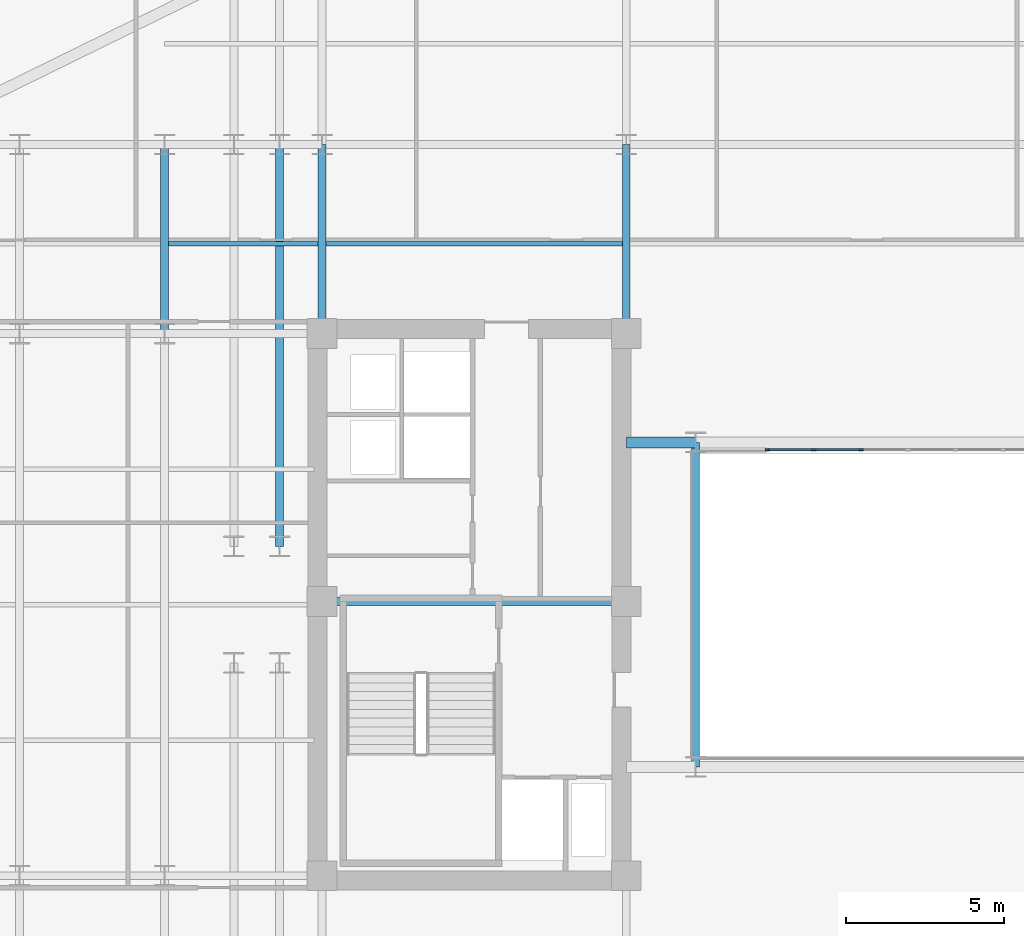
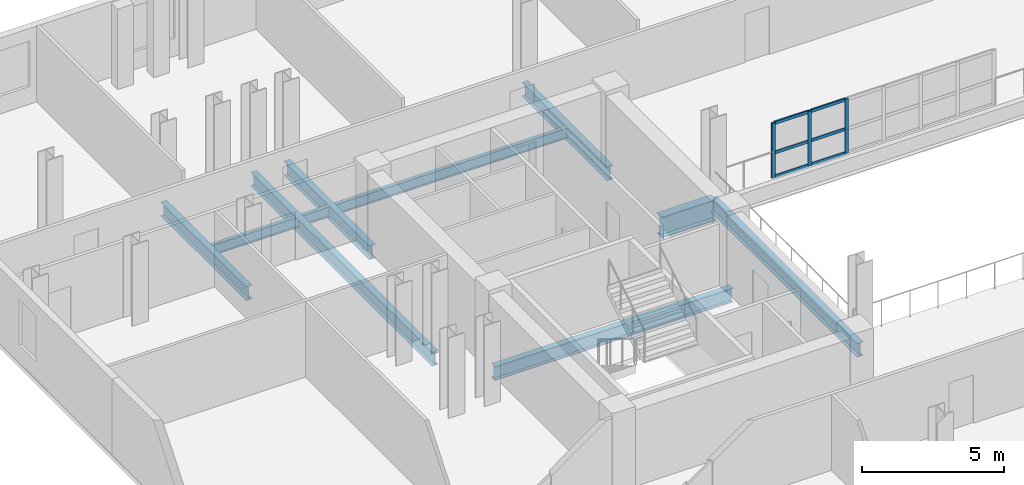
# One storey, part 2 of 12: 9 beams, 9 members, 1 element without a shape of its own.
"""IFC4 building model written with IfcOpenShell, lengths in metres."""

from ifc_helpers import new_model, si_unit, direction, frame, origin, origin_2d, place, context, subcontext, project, spatial, rectangle, i_section, extrude, material, layer, layer_set, material_profile, profile_set, type_object, element, aggregate, save


model = new_model("IFC4")

# Units and contexts
model_context = context("Model", 3, precision=1e-05, world=origin(), true_north=direction((0.0, 1.0)))
body_context = subcontext(model_context, "Body", "Model", "MODEL_VIEW")
ifc_project = project(units=[si_unit("LENGTHUNIT", "METRE"), si_unit("AREAUNIT", "SQUARE_METRE"), si_unit("VOLUMEUNIT", "CUBIC_METRE"), si_unit("PLANEANGLEUNIT", "RADIAN"), si_unit("MASSUNIT", "GRAM", prefix="KILO")], contexts=[model_context])

# Site, building, storey
site_placement = place(None, origin())
site = spatial("IfcSite", under=ifc_project, at=site_placement, CompositionType="ELEMENT")
building_placement = place(site_placement, origin())
building = spatial("IfcBuilding", under=site, at=building_placement, Name="Velakula Bourse", CompositionType="ELEMENT")
storey_placement = place(building_placement, frame((0.0, 0.0, 148.449951171875)))
storey = spatial("IfcBuildingStorey", under=building, at=storey_placement, Name="L40", CompositionType="ELEMENT", Elevation=148.449951171875)

# Beams
ifc_material_1 = material(Name="Steel IS 2062 Grade 350 (E350)", Category="steel")
ifc_material_profile_1 = material_profile(ifc_material_1, i_section(OverallWidth=0.25, OverallDepth=0.60009765625, WebThickness=0.01123046875, FlangeThickness=0.021240234375, at=origin_2d()), Name="Steel IS 2062 Grade 350 (E350)")
ifc_profile_set_1 = profile_set([ifc_material_profile_1], Name="Steel IS 2062 Grade 350 (E350)")
beam_type_1 = type_object("IfcBeamType", Name="BM-GRD-600M", PredefinedType="BEAM", material=ifc_profile_set_1)
beam_1_placement = place(storey_placement, frame((-18.60009765625, 0.10009765625, -0.47998046875), z_axis=(1.0, 0.0, 0.0), x_axis=(0.0, 1.0, 0.0)))
element("IfcBeam", 1, at=beam_1_placement, inside=storey, type_object=beam_type_1, Name="L40 Primary Backbone Girder CRW-M", PredefinedType="BEAM", context=body_context, shape_type="SweptSolid", body=[
    extrude(i_section(OverallWidth=0.25, OverallDepth=0.60009765625, WebThickness=0.01123046875, FlangeThickness=0.021240234375, at=origin_2d()), origin(), (0.0, 0.0, 1.0), 9.650146484375),
])
beam_2_placement = place(storey_placement, frame((-6.75, -5.14990234375, -0.47998046875), z_axis=(0.0, 1.0, 0.0), x_axis=(-1.0, 0.0, 0.0)))
element("IfcBeam", 2, at=beam_2_placement, inside=storey, type_object=beam_type_1, Name="L40 Primary Backbone Girder SPN-W", PredefinedType="BEAM", context=body_context, shape_type="SweptSolid", body=[
    extrude(i_section(OverallWidth=0.25, OverallDepth=0.60009765625, WebThickness=0.01123046875, FlangeThickness=0.021240234375, at=origin_2d()), origin(), (0.0, 0.0, 1.0), 10.2998046875),
])
for number, where, z_axis, x_axis, name in (
    (3, (-18.60009765625, 8.60009765625, -0.47998046875), (0.0, 1.0, 0.0), (-1.0, 0.0, 0.0), "L40 Fulcrum Grid Girder FLC-WN"),
    (4, (-8.949951171875, 8.60009765625, -0.47998046875), (0.0, 1.0, 0.0), (-1.0, 0.0, 0.0), "L40 Fulcrum Grid Girder FLC-WCN"),
):
    element("IfcBeam", number, at=place(storey_placement, frame(where, z_axis=z_axis, x_axis=x_axis)), inside=storey, type_object=beam_type_1, Name=name, PredefinedType="BEAM", context=body_context, shape_type="SweptSolid", body=[
        extrude(i_section(OverallWidth=0.25, OverallDepth=0.60009765625, WebThickness=0.01123046875, FlangeThickness=0.021240234375, at=origin_2d()), origin(), (0.0, 0.0, 1.0), 6.0),
    ])
beam_3_placement = place(storey_placement, frame((-19.949951171875, 1.85009765625, -0.47998046875), z_axis=(0.0, 1.0, 0.0), x_axis=(-1.0, 0.0, 0.0)))
element("IfcBeam", 5, at=beam_3_placement, inside=storey, type_object=beam_type_1, Name="L40 Fulcrum Grid Girder FLC-PNW2", PredefinedType="BEAM", context=body_context, shape_type="SweptSolid", body=[
    extrude(i_section(OverallWidth=0.25, OverallDepth=0.60009765625, WebThickness=0.01123046875, FlangeThickness=0.021240234375, at=origin_2d()), origin(), (0.0, 0.0, 1.0), 12.75),
])
beam_4_placement = place(storey_placement, frame((-23.60009765625, 8.60009765625, -0.47998046875), z_axis=(0.0, 1.0, 0.0), x_axis=(-1.0, 0.0, 0.0)))
element("IfcBeam", 6, at=beam_4_placement, inside=storey, type_object=beam_type_1, Name="L40 Fulcrum Grid Girder MWG-WNS3", PredefinedType="BEAM", context=body_context, shape_type="SweptSolid", body=[
    extrude(i_section(OverallWidth=0.25, OverallDepth=0.60009765625, WebThickness=0.01123046875, FlangeThickness=0.021240234375, at=origin_2d()), origin(), (0.0, 0.0, 1.0), 6.0),
])
ifc_material_profile_2 = material_profile(ifc_material_1, i_section(OverallWidth=0.35009765625, OverallDepth=0.89990234375, WebThickness=0.02001953125, FlangeThickness=0.031982421875, at=origin_2d()), Name="Steel IS 2062 Grade 350 (E350)")
ifc_profile_set_2 = profile_set([ifc_material_profile_2], Name="Steel IS 2062 Grade 350 (E350)")
beam_type_2 = type_object("IfcBeamType", Name="BM-LNK-900", PredefinedType="BEAM", material=ifc_profile_set_2)
beam_5_placement = place(storey_placement, frame((-8.949951171875, 5.14990234375, -0.6298828125), z_axis=(1.0, 0.0, 0.0), x_axis=(0.0, 1.0, 0.0)))
element("IfcBeam", 7, at=beam_5_placement, inside=storey, type_object=beam_type_2, Name="L40 Primary Backbone Girder LNK-N1", PredefinedType="BEAM", context=body_context, shape_type="SweptSolid", body=[
    extrude(i_section(OverallWidth=0.35009765625, OverallDepth=0.89990234375, WebThickness=0.02001953125, FlangeThickness=0.031982421875, at=origin_2d()), origin(), (0.0, 0.0, 1.0), 2.199951171875),
])
ifc_material_profile_3 = material_profile(ifc_material_1, i_section(OverallWidth=0.14990234375, OverallDepth=0.449951171875, WebThickness=0.009521484375, FlangeThickness=0.017333984375, at=origin_2d()), Name="Steel IS 2062 Grade 350 (E350)")
ifc_profile_set_3 = profile_set([ifc_material_profile_3], Name="Steel IS 2062 Grade 350 (E350)")
beam_type_3 = type_object("IfcBeamType", Name="JST-TWR-450", PredefinedType="JOIST", material=ifc_profile_set_3)
beam_6_placement = place(storey_placement, frame((-23.47509765625, 11.449951171875, -0.405029296875), z_axis=(1.0, 0.0, 0.0), x_axis=(0.0, 1.0, 0.0)))
element("IfcBeam", 8, at=beam_6_placement, inside=storey, type_object=beam_type_3, Name="L40 Trading Floor Composite Joist 11", PredefinedType="JOIST", context=body_context, shape_type="SweptSolid", body=[
    extrude(i_section(OverallWidth=0.14990234375, OverallDepth=0.449951171875, WebThickness=0.009521484375, FlangeThickness=0.017333984375, at=origin_2d()), origin(), (0.0, 0.0, 1.0), 4.75),
])
beam_7_placement = place(storey_placement, frame((-18.47509765625, 11.449951171875, -0.405029296875), z_axis=(1.0, 0.0, 0.0), x_axis=(0.0, 1.0, 0.0)))
element("IfcBeam", 9, at=beam_7_placement, inside=storey, type_object=beam_type_3, Name="L40 Trading Floor Composite Joist 12", PredefinedType="JOIST", context=body_context, shape_type="SweptSolid", body=[
    extrude(i_section(OverallWidth=0.14990234375, OverallDepth=0.449951171875, WebThickness=0.009521484375, FlangeThickness=0.017333984375, at=origin_2d()), origin(), (0.0, 0.0, 1.0), 9.400146484375),
])

# Curtain wall, members
ifc_material_2 = material(Name="Anodised bronze architectural aluminium", Category="aluminium")
ifc_layer = layer(ifc_material_2, 0.14990234375, Name="Anodised bronze architectural aluminium", Category="aluminium")
ifc_layer_set = layer_set([ifc_layer], Name="Anodised bronze architectural aluminium")
curtain_wall_type = type_object("IfcCurtainWallType", Name="CW-AT1", PredefinedType="NOTDEFINED", material=ifc_layer_set)
curtain_wall_placement = place(storey_placement, origin())
curtain_wall = element("IfcCurtainWall", 10, at=curtain_wall_placement, inside=storey, type_object=curtain_wall_type, Name="L40 Central Trading Atrium Fire-Rated Glazed Screen", PredefinedType="NOTDEFINED")
ifc_material_profile_4 = material_profile(ifc_material_2, rectangle(XDim=0.06005859375, YDim=0.14990234375, at=origin_2d()), Name="Anodised bronze architectural aluminium")
ifc_profile_set_4 = profile_set([ifc_material_profile_4], Name="Anodised bronze architectural aluminium")
member_type_1 = type_object("IfcMemberType", Name="MUL-CW-AT1", PredefinedType="MULLION", material=ifc_profile_set_4)
member_1_placement = place(storey_placement, frame((-4.469970703125, 4.919921875, 0.0), z_axis=(0.0, 0.0, 1.0), x_axis=(0.0, 1.0, 0.0)))
member_1 = element("IfcMember", 11, at=member_1_placement, type_object=member_type_1, Name="CW-AT1 mullion 1", PredefinedType="MULLION", context=body_context, shape_type="SweptSolid", body=[
    extrude(rectangle(XDim=0.06005859375, YDim=0.14990234375, at=origin_2d()), origin(), (0.0, 0.0, 1.0), 2.344970703125),
])
member_2_placement = place(storey_placement, frame((-3.0, 4.919921875, 0.0), z_axis=(0.0, 0.0, 1.0), x_axis=(0.0, 1.0, 0.0)))
member_2 = element("IfcMember", 12, at=member_2_placement, type_object=member_type_1, Name="CW-AT1 mullion 2", PredefinedType="MULLION", context=body_context, shape_type="SweptSolid", body=[
    extrude(rectangle(XDim=0.06005859375, YDim=0.14990234375, at=origin_2d()), origin(), (0.0, 0.0, 1.0), 2.344970703125),
])
member_3_placement = place(storey_placement, frame((-1.5, 4.919921875, 0.0), z_axis=(0.0, 0.0, 1.0), x_axis=(0.0, 1.0, 0.0)))
member_3 = element("IfcMember", 13, at=member_3_placement, type_object=member_type_1, Name="CW-AT1 mullion 3", PredefinedType="MULLION", context=body_context, shape_type="SweptSolid", body=[
    extrude(rectangle(XDim=0.06005859375, YDim=0.14990234375, at=origin_2d()), origin(), (0.0, 0.0, 1.0), 2.344970703125),
])
ifc_material_profile_5 = material_profile(ifc_material_2, rectangle(XDim=0.06005859375, YDim=0.1298828125, at=origin_2d()), Name="Anodised bronze architectural aluminium")
ifc_profile_set_5 = profile_set([ifc_material_profile_5], Name="Anodised bronze architectural aluminium")
member_type_2 = type_object("IfcMemberType", Name="TRN-CW-AT1", PredefinedType="USERDEFINED", material=ifc_profile_set_5)
member_4_placement = place(storey_placement, frame((-4.43994140625, 4.919921875, 0.030029296875), z_axis=(1.0, 0.0, 0.0), x_axis=(0.0, 1.0, 0.0)))
member_4 = element("IfcMember", 14, at=member_4_placement, type_object=member_type_2, Name="CW-AT1 transom 1.1", ObjectType="TRANSOM", PredefinedType="USERDEFINED", context=body_context, shape_type="SweptSolid", body=[
    extrude(rectangle(XDim=0.06005859375, YDim=0.1298828125, at=origin_2d()), origin(), (0.0, 0.0, 1.0), 1.409912109375),
])
member_5_placement = place(storey_placement, frame((-4.43994140625, 4.919921875, 1.05517578125), z_axis=(1.0, 0.0, 0.0), x_axis=(0.0, 1.0, 0.0)))
member_5 = element("IfcMember", 15, at=member_5_placement, type_object=member_type_2, Name="CW-AT1 transom 1.2", ObjectType="TRANSOM", PredefinedType="USERDEFINED", context=body_context, shape_type="SweptSolid", body=[
    extrude(rectangle(XDim=0.06005859375, YDim=0.1298828125, at=origin_2d()), origin(), (0.0, 0.0, 1.0), 1.409912109375),
])
member_6_placement = place(storey_placement, frame((-4.43994140625, 4.919921875, 2.31494140625), z_axis=(1.0, 0.0, 0.0), x_axis=(0.0, 1.0, 0.0)))
member_6 = element("IfcMember", 16, at=member_6_placement, type_object=member_type_2, Name="CW-AT1 transom 1.3", ObjectType="TRANSOM", PredefinedType="USERDEFINED", context=body_context, shape_type="SweptSolid", body=[
    extrude(rectangle(XDim=0.06005859375, YDim=0.1298828125, at=origin_2d()), origin(), (0.0, 0.0, 1.0), 1.409912109375),
])
member_7_placement = place(storey_placement, frame((-2.969970703125, 4.919921875, 0.030029296875), z_axis=(1.0, 0.0, 0.0), x_axis=(0.0, 1.0, 0.0)))
member_7 = element("IfcMember", 17, at=member_7_placement, type_object=member_type_2, Name="CW-AT1 transom 2.1", ObjectType="TRANSOM", PredefinedType="USERDEFINED", context=body_context, shape_type="SweptSolid", body=[
    extrude(rectangle(XDim=0.06005859375, YDim=0.1298828125, at=origin_2d()), origin(), (0.0, 0.0, 1.0), 1.43994140625),
])
member_8_placement = place(storey_placement, frame((-2.969970703125, 4.919921875, 1.05517578125), z_axis=(1.0, 0.0, 0.0), x_axis=(0.0, 1.0, 0.0)))
member_8 = element("IfcMember", 18, at=member_8_placement, type_object=member_type_2, Name="CW-AT1 transom 2.2", ObjectType="TRANSOM", PredefinedType="USERDEFINED", context=body_context, shape_type="SweptSolid", body=[
    extrude(rectangle(XDim=0.06005859375, YDim=0.1298828125, at=origin_2d()), origin(), (0.0, 0.0, 1.0), 1.43994140625),
])
member_9_placement = place(storey_placement, frame((-2.969970703125, 4.919921875, 2.31494140625), z_axis=(1.0, 0.0, 0.0), x_axis=(0.0, 1.0, 0.0)))
member_9 = element("IfcMember", 19, at=member_9_placement, type_object=member_type_2, Name="CW-AT1 transom 2.3", ObjectType="TRANSOM", PredefinedType="USERDEFINED", context=body_context, shape_type="SweptSolid", body=[
    extrude(rectangle(XDim=0.06005859375, YDim=0.1298828125, at=origin_2d()), origin(), (0.0, 0.0, 1.0), 1.43994140625),
])
aggregate(curtain_wall, [member_1, member_2, member_3, member_4, member_5, member_6, member_7, member_8, member_9])

save(model, "model.ifc")
